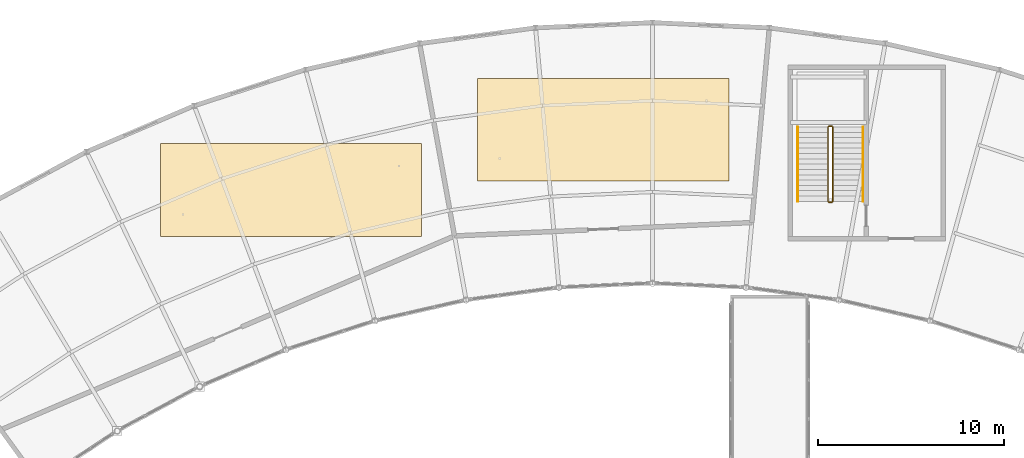
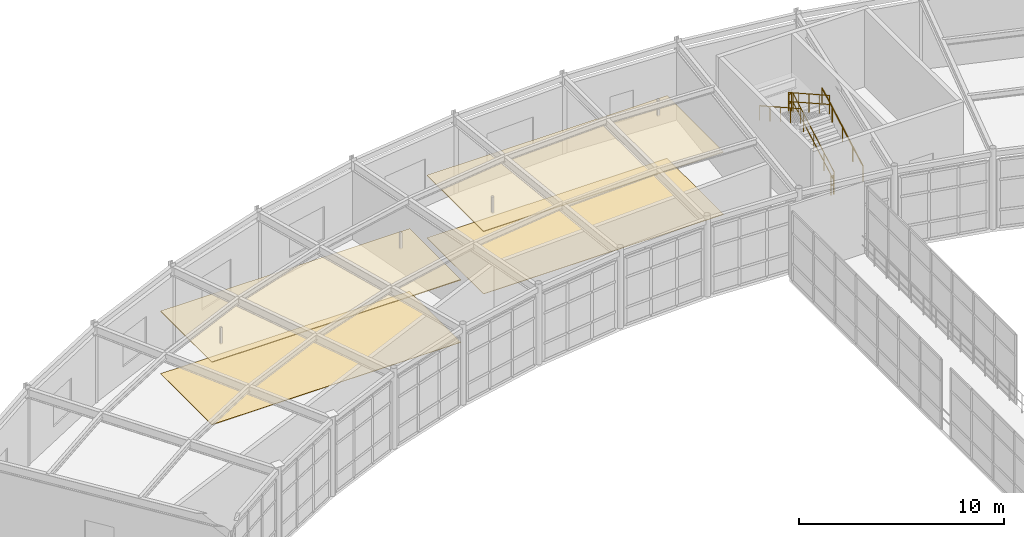
# One storey, part 104 of 105: 6 railings, 4 coverings.
"""IFC4 building model written with IfcOpenShell, lengths in metres."""

from ifc_helpers import new_model, si_unit, direction, frame, origin, origin_2d, place, context, subcontext, project, spatial, polyline, circle, outline, extrude, material, layer, layer_set, type_object, element, save


model = new_model("IFC4")

# Units and contexts
model_context = context("Model", 3, precision=1e-05, world=origin(), true_north=direction((0.0, 1.0)))
body_context = subcontext(model_context, "Body", "Model", "MODEL_VIEW")
ifc_project = project(units=[si_unit("LENGTHUNIT", "METRE"), si_unit("AREAUNIT", "SQUARE_METRE"), si_unit("VOLUMEUNIT", "CUBIC_METRE"), si_unit("PLANEANGLEUNIT", "RADIAN"), si_unit("MASSUNIT", "GRAM", prefix="KILO")], contexts=[model_context])

# Site, building, storey
site_placement = place(None, origin())
site = spatial("IfcSite", under=ifc_project, at=site_placement, CompositionType="ELEMENT")
building_placement = place(site_placement, origin())
building = spatial("IfcBuilding", under=site, at=building_placement, Name="Selat Folded Stagehouse", CompositionType="ELEMENT")
storey_placement = place(building_placement, frame((0.0, 0.0, 10.199951171875)))
storey = spatial("IfcBuildingStorey", under=building, at=storey_placement, Name="L02", CompositionType="ELEMENT", Elevation=10.199951171875)

# Coverings
ifc_material_1 = material(Name="Acoustic perforated timber and mineral wool", Category="wood")
ifc_layer_1 = layer(ifc_material_1, 0.050048828125)
ifc_layer_set_1 = layer_set([ifc_layer_1], Name="Acoustic perforated timber and mineral wool")
covering_type_1 = type_object("IfcCoveringType", Name="COV-CEIL-AC50", PredefinedType="CEILING", material=ifc_layer_set_1)
covering_1_placement = place(storey_placement, frame((0.0, 0.0, 3.699951171875)))
element("IfcCovering", 1, at=covering_1_placement, inside=storey, type_object=covering_type_1, Name="L02 suspended acoustic ceiling CLG-L02-REH", PredefinedType="CEILING", context=body_context, shape_type="SweptSolid", body=[
    extrude(outline(polyline([(66.0, 96.5), (80.0, 96.5), (80.0, 101.5), (66.0, 101.5), (66.0, 96.5)])), origin(), (0.0, 0.0, 1.0), 0.050048828125),
])
covering_2_placement = place(storey_placement, frame((0.0, 0.0, 3.699951171875)))
element("IfcCovering", 2, at=covering_2_placement, inside=storey, type_object=covering_type_1, Name="L02 suspended acoustic ceiling CLG-L02-DNC", PredefinedType="CEILING", context=body_context, shape_type="SweptSolid", body=[
    extrude(outline(polyline([(83.0, 99.5), (96.5, 99.5), (96.5, 105.0), (83.0, 105.0), (83.0, 99.5)])), origin(), (0.0, 0.0, 1.0), 0.050048828125),
])
ifc_material_2 = material(Name="Sprung black-stained oak stage and studio flooring", Category="wood")
ifc_layer_2 = layer(ifc_material_2, 0.02490234375)
ifc_layer_set_2 = layer_set([ifc_layer_2], Name="Sprung black-stained oak stage and studio flooring")
covering_type_2 = type_object("IfcCoveringType", Name="COV-FLR-TIM25", PredefinedType="FLOORING", material=ifc_layer_set_2)
covering_3_placement = place(storey_placement, origin())
element("IfcCovering", 3, at=covering_3_placement, inside=storey, type_object=covering_type_2, Name="L02 sprung oak stage flooring FLR-L02-REH", PredefinedType="FLOORING", context=body_context, shape_type="SweptSolid", body=[
    extrude(outline(polyline([(66.0, 96.5), (80.0, 96.5), (80.0, 101.5), (66.0, 101.5), (66.0, 96.5)])), origin(), (0.0, 0.0, 1.0), 0.025146484375),
])
covering_4_placement = place(storey_placement, origin())
element("IfcCovering", 4, at=covering_4_placement, inside=storey, type_object=covering_type_2, Name="L02 sprung oak stage flooring FLR-L02-DNC", PredefinedType="FLOORING", context=body_context, shape_type="SweptSolid", body=[
    extrude(outline(polyline([(83.0, 99.5), (96.5, 99.5), (96.5, 105.0), (83.0, 105.0), (83.0, 99.5)])), origin(), (0.0, 0.0, 1.0), 0.025146484375),
])

# Railings
ifc_material_3 = material(Name="Bronze-anodised steel balustrade", Category="steel")
ifc_layer_3 = layer(ifc_material_3, 0.06494140625)
ifc_layer_set_3 = layer_set([ifc_layer_3], Name="Bronze-anodised steel balustrade")
railing_type_1 = type_object("IfcRailingType", Name="RLG-BAL-1120", PredefinedType="BALUSTRADE", material=ifc_layer_set_3)
railing_1_placement = place(storey_placement, frame((102.080078125, 98.39990234375, 0.16015625)))
element("IfcRailing", 5, at=railing_1_placement, inside=storey, type_object=railing_type_1, Name="L02 ST-06 stair well guard 1", PredefinedType="BALUSTRADE", context=body_context, shape_type="SweptSolid", body=[
    extrude(circle(Radius=0.02392578125, at=origin_2d()), frame((0.0, 0.0, 1.09619140625), z_axis=(0.0, 0.871984184956, 0.489534044972), x_axis=(-1.0, 0.0, 0.0)), (0.0, 0.0, 1.0), 4.57568359375),
    extrude(circle(Radius=0.02392578125, at=origin_2d()), frame((0.0, 0.0, 0.56005859375), z_axis=(0.0, 0.871984184956, 0.489534044972), x_axis=(-1.0, 0.0, 0.0)), (0.0, 0.0, 1.0), 4.57568359375),
    extrude(circle(Radius=0.02099609375, at=origin_2d()), origin(), (0.0, 0.0, 1.0), 1.072021484375),
    extrude(circle(Radius=0.02099609375, at=origin_2d()), frame((0.0, 0.99755859375, 0.56005859375)), (0.0, 0.0, 1.0), 1.072021484375),
    extrude(circle(Radius=0.02099609375, at=origin_2d()), frame((0.0, 1.9951171875, 1.1201171875)), (0.0, 0.0, 1.0), 1.072021484375),
    extrude(circle(Radius=0.02099609375, at=origin_2d()), frame((0.0, 2.992431640625, 1.679931640625)), (0.0, 0.0, 1.0), 1.072021484375),
    extrude(circle(Radius=0.02099609375, at=origin_2d()), frame((0.0, 3.989990234375, 2.239990234375)), (0.0, 0.0, 1.0), 1.072021484375),
])
railing_2_placement = place(storey_placement, frame((102.030029296875, 102.43994140625, 2.400146484375)))
element("IfcRailing", 6, at=railing_2_placement, inside=storey, type_object=railing_type_1, Name="L02 ST-06 stair well guard 2", PredefinedType="BALUSTRADE", context=body_context, shape_type="SweptSolid", body=[
    extrude(circle(Radius=0.02392578125, at=origin_2d()), frame((0.0, 0.0, 1.09619140625), z_axis=(-1.0, 0.0, 0.0), x_axis=(0.0, -1.0, 0.0)), (0.0, 0.0, 1.0), 0.159912109375),
    extrude(circle(Radius=0.02392578125, at=origin_2d()), frame((0.0, 0.0, 0.56005859375), z_axis=(-1.0, 0.0, 0.0), x_axis=(0.0, -1.0, 0.0)), (0.0, 0.0, 1.0), 0.159912109375),
    extrude(circle(Radius=0.02099609375, at=origin_2d()), origin(), (0.0, 0.0, 1.0), 1.072021484375),
    extrude(circle(Radius=0.02099609375, at=origin_2d()), frame((-0.159912109375, 0.0, 0.0)), (0.0, 0.0, 1.0), 1.072021484375),
])
railing_3_placement = place(storey_placement, frame((101.820068359375, 102.389892578125, 2.56005859375)))
element("IfcRailing", 7, at=railing_3_placement, inside=storey, type_object=railing_type_1, Name="L02 ST-06 stair well guard 3", PredefinedType="BALUSTRADE", context=body_context, shape_type="SweptSolid", body=[
    extrude(circle(Radius=0.02392578125, at=origin_2d()), frame((0.0, 0.0, 1.09619140625), z_axis=(0.0, -0.871984184956, 0.489534044972), x_axis=(1.0, 0.0, 0.0)), (0.0, 0.0, 1.0), 4.57568359375),
    extrude(circle(Radius=0.02392578125, at=origin_2d()), frame((0.0, 0.0, 0.56005859375), z_axis=(0.0, -0.871984184956, 0.489534044972), x_axis=(1.0, 0.0, 0.0)), (0.0, 0.0, 1.0), 4.57568359375),
    extrude(circle(Radius=0.02099609375, at=origin_2d()), origin(), (0.0, 0.0, 1.0), 1.072021484375),
    extrude(circle(Radius=0.02099609375, at=origin_2d()), frame((0.0, -0.99755859375, 0.56005859375)), (0.0, 0.0, 1.0), 1.072021484375),
    extrude(circle(Radius=0.02099609375, at=origin_2d()), frame((0.0, -1.9951171875, 1.1201171875)), (0.0, 0.0, 1.0), 1.072021484375),
    extrude(circle(Radius=0.02099609375, at=origin_2d()), frame((0.0, -2.992431640625, 1.679931640625)), (0.0, 0.0, 1.0), 1.072021484375),
    extrude(circle(Radius=0.02099609375, at=origin_2d()), frame((0.0, -3.989990234375, 2.239990234375)), (0.0, 0.0, 1.0), 1.072021484375),
])
railing_4_placement = place(storey_placement, frame((102.030029296875, 98.35009765625, 0.0)))
element("IfcRailing", 8, at=railing_4_placement, inside=storey, type_object=railing_type_1, Name="L02 ST-06 stair well guard 4", PredefinedType="BALUSTRADE", context=body_context, shape_type="SweptSolid", body=[
    extrude(circle(Radius=0.02392578125, at=origin_2d()), frame((0.0, 0.0, 1.09619140625), z_axis=(-1.0, 0.0, 0.0), x_axis=(0.0, -1.0, 0.0)), (0.0, 0.0, 1.0), 0.159912109375),
    extrude(circle(Radius=0.02392578125, at=origin_2d()), frame((0.0, 0.0, 0.56005859375), z_axis=(-1.0, 0.0, 0.0), x_axis=(0.0, -1.0, 0.0)), (0.0, 0.0, 1.0), 0.159912109375),
    extrude(circle(Radius=0.02099609375, at=origin_2d()), origin(), (0.0, 0.0, 1.0), 1.072021484375),
    extrude(circle(Radius=0.02099609375, at=origin_2d()), frame((-0.159912109375, 0.0, 0.0)), (0.0, 0.0, 1.0), 1.072021484375),
])
ifc_material_4 = material(Name="Brushed stainless steel 1.4301", Category="steel")
ifc_layer_4 = layer(ifc_material_4, 0.048095703125)
ifc_layer_set_4 = layer_set([ifc_layer_4], Name="Brushed stainless steel 1.4301")
railing_type_2 = type_object("IfcRailingType", Name="RLG-HANDRAIL-900", PredefinedType="HANDRAIL", material=ifc_layer_set_4)
railing_5_placement = place(storey_placement, frame((103.699951171875, 98.39990234375, 0.16015625)))
element("IfcRailing", 9, at=railing_5_placement, inside=storey, type_object=railing_type_2, Name="L02 ST-06 wall handrail 1", PredefinedType="HANDRAIL", context=body_context, shape_type="SweptSolid", body=[
    extrude(circle(Radius=0.02392578125, at=origin_2d()), frame((0.0, 0.0, 0.8759765625), z_axis=(0.0, 0.871984184956, 0.489534044972), x_axis=(-1.0, 0.0, 0.0)), (0.0, 0.0, 1.0), 4.57568359375),
    extrude(circle(Radius=0.02099609375, at=origin_2d()), origin(), (0.0, 0.0, 1.0), 0.851806640625),
    extrude(circle(Radius=0.02099609375, at=origin_2d()), frame((0.0, 0.99755859375, 0.56005859375)), (0.0, 0.0, 1.0), 0.851806640625),
    extrude(circle(Radius=0.02099609375, at=origin_2d()), frame((0.0, 1.9951171875, 1.1201171875)), (0.0, 0.0, 1.0), 0.851806640625),
    extrude(circle(Radius=0.02099609375, at=origin_2d()), frame((0.0, 2.992431640625, 1.679931640625)), (0.0, 0.0, 1.0), 0.851806640625),
    extrude(circle(Radius=0.02099609375, at=origin_2d()), frame((0.0, 3.989990234375, 2.239990234375)), (0.0, 0.0, 1.0), 0.851806640625),
])
railing_6_placement = place(storey_placement, frame((100.199951171875, 102.389892578125, 2.56005859375)))
element("IfcRailing", 10, at=railing_6_placement, inside=storey, type_object=railing_type_2, Name="L02 ST-06 wall handrail 2", PredefinedType="HANDRAIL", context=body_context, shape_type="SweptSolid", body=[
    extrude(circle(Radius=0.02392578125, at=origin_2d()), frame((0.0, 0.0, 0.8759765625), z_axis=(0.0, -0.871984184956, 0.489534044972), x_axis=(1.0, 0.0, 0.0)), (0.0, 0.0, 1.0), 4.57568359375),
    extrude(circle(Radius=0.02099609375, at=origin_2d()), origin(), (0.0, 0.0, 1.0), 0.851806640625),
    extrude(circle(Radius=0.02099609375, at=origin_2d()), frame((0.0, -0.99755859375, 0.56005859375)), (0.0, 0.0, 1.0), 0.851806640625),
    extrude(circle(Radius=0.02099609375, at=origin_2d()), frame((0.0, -1.9951171875, 1.1201171875)), (0.0, 0.0, 1.0), 0.851806640625),
    extrude(circle(Radius=0.02099609375, at=origin_2d()), frame((0.0, -2.992431640625, 1.679931640625)), (0.0, 0.0, 1.0), 0.851806640625),
    extrude(circle(Radius=0.02099609375, at=origin_2d()), frame((0.0, -3.989990234375, 2.239990234375)), (0.0, 0.0, 1.0), 0.851806640625),
])

save(model, "model.ifc")
